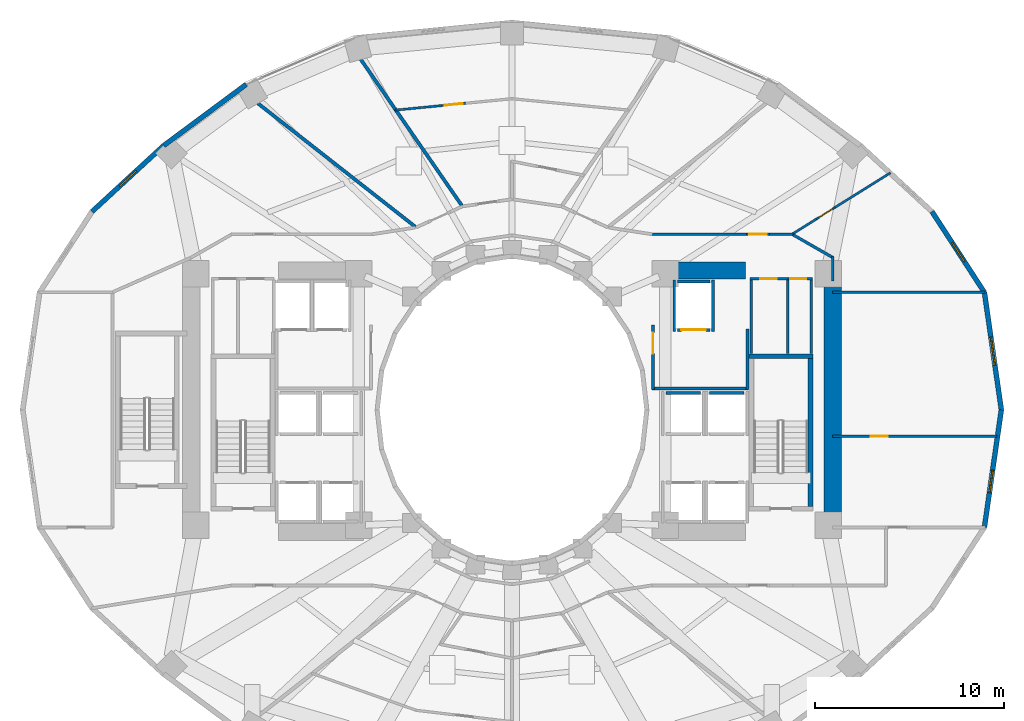
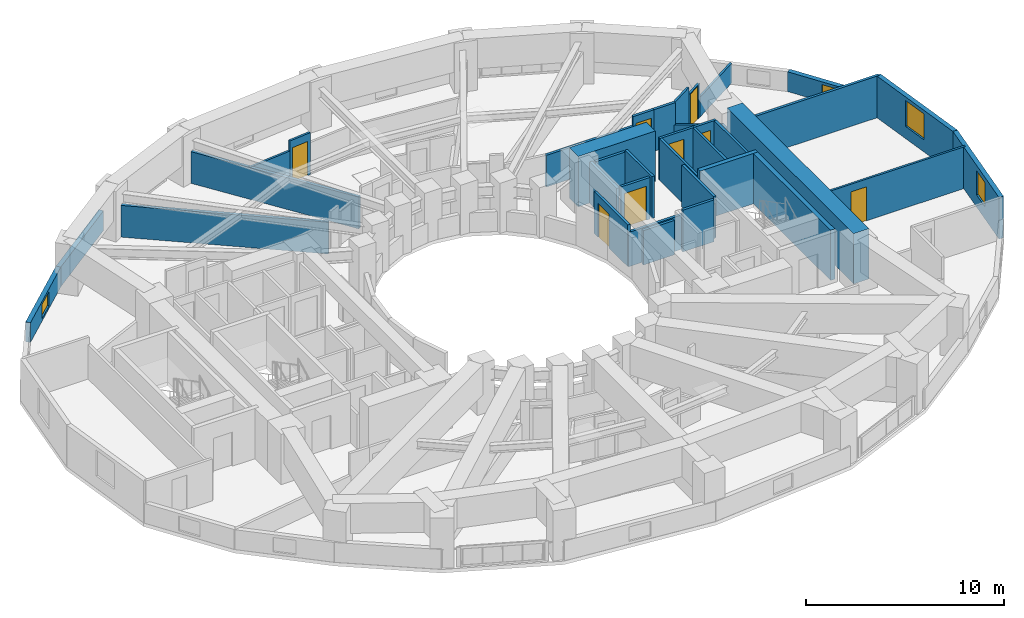
# One storey, part 12 of 16: 37 walls, 8 doors, 4 windows, 12 openings.
"""IFC4 building model written with IfcOpenShell, lengths in metres."""

from ifc_helpers import new_model, si_unit, direction, frame, frame_2d, origin, place, context, subcontext, project, spatial, rectangle, extrude, material, layer, layer_set, type_object, element, fill, save


model = new_model("IFC4")

# Units and contexts
model_context = context("Model", 3, precision=1e-05, world=origin(), true_north=direction((0.0, 1.0)))
body_context = subcontext(model_context, "Body", "Model", "MODEL_VIEW")
ifc_project = project(units=[si_unit("LENGTHUNIT", "METRE"), si_unit("AREAUNIT", "SQUARE_METRE"), si_unit("VOLUMEUNIT", "CUBIC_METRE"), si_unit("PLANEANGLEUNIT", "RADIAN"), si_unit("MASSUNIT", "GRAM", prefix="KILO")], contexts=[model_context])

# Site, building, storey
site_placement = place(None, origin())
site = spatial("IfcSite", under=ifc_project, at=site_placement, CompositionType="ELEMENT")
building_placement = place(site_placement, origin())
building = spatial("IfcBuilding", under=site, at=building_placement, Name="Solvane Sanctuary Tower", CompositionType="ELEMENT")
storey_placement = place(building_placement, frame((0.0, 0.0, 33.800048828125)))
storey = spatial("IfcBuildingStorey", under=building, at=storey_placement, Name="L09", CompositionType="ELEMENT", Elevation=33.800048828125)

# Walls
ifc_material_1 = material(Name="Concrete C70/85", Category="concrete")
ifc_layer_1 = layer(ifc_material_1, 0.89990234375, Name="Concrete C70/85")
ifc_layer_set_1 = layer_set([ifc_layer_1], Name="Concrete C70/85")
wall_type_1 = type_object("IfcWallType", Name="Wall W-CORE-900", PredefinedType="SHEAR", material=ifc_layer_set_1)
wall_1_placement = place(storey_placement, frame((48.949951171875, 17.050048828125, 0.0), z_axis=(0.0, 0.0, 1.0), x_axis=(0.0, 1.0, 0.0)))
element("IfcWall", 1, at=wall_1_placement, inside=storey, type_object=wall_type_1, Name="L09 Core Shear Wall EC-E", PredefinedType="SHEAR", context=body_context, shape_type="SweptSolid", body=[
    extrude(rectangle(XDim=12.800048828125, YDim=0.89990234375, at=frame_2d((6.39990234375, 0.0))), origin(), (0.0, 0.0, 1.0), 3.099853515625),
])
wall_2_placement = place(storey_placement, frame((39.85009765625, 30.35009765625, 0.0), z_axis=(0.0, 0.0, 1.0), x_axis=(1.0, 0.0, 0.0)))
element("IfcWall", 2, at=wall_2_placement, inside=storey, type_object=wall_type_1, Name="L09 Core Shear Wall EC-N", PredefinedType="SHEAR", context=body_context, shape_type="SweptSolid", body=[
    extrude(rectangle(XDim=4.5, YDim=0.89990234375, at=frame_2d((2.25, 0.0))), origin(), (0.0, 0.0, 1.0), 3.099853515625),
])
ifc_material_2 = material(Name="Acoustic Gypsum Partition Board")
ifc_layer_2 = layer(ifc_material_2, 0.14990234375, Name="Acoustic Gypsum Partition Board")
ifc_layer_set_2 = layer_set([ifc_layer_2], Name="Acoustic Gypsum Partition Board")
wall_type_2 = type_object("IfcWallType", Name="Wall W-CORR-150", PredefinedType="PARTITIONING", material=ifc_layer_set_2)
wall_3_placement = place(storey_placement, frame((39.39990234375, 24.1201171875, 0.0), z_axis=(0.0, 0.0, 1.0), x_axis=(1.0, 0.0, 0.0)))
element("IfcWall", 3, at=wall_3_placement, inside=storey, type_object=wall_type_2, Name="L09 East Firefighting Lobby South Wall", PredefinedType="PARTITIONING", context=body_context, shape_type="SweptSolid", body=[
    extrude(rectangle(XDim=5.080078125, YDim=0.14990234375, at=frame_2d((2.5400390625, 0.0))), origin(), (0.0, 0.0, 1.0), 2.119873046875),
])
wall_4_placement = place(storey_placement, frame((44.449951171875, 24.080078125, 0.0), z_axis=(0.0, 0.0, 1.0), x_axis=(0.0, 1.0, 0.0)))
element("IfcWall", 4, at=wall_4_placement, inside=storey, type_object=wall_type_2, Name="L09 East Firefighting Lobby East Wall", PredefinedType="PARTITIONING", context=body_context, shape_type="SweptSolid", body=[
    extrude(rectangle(XDim=3.199951171875, YDim=0.14990234375, at=frame_2d((1.60009765625, 0.0))), origin(), (0.0, 0.0, 1.0), 2.574951171875),
])

# Wall, opening, door
wall_5_placement = place(storey_placement, frame((39.449951171875, 24.080078125, 0.0), z_axis=(0.0, 0.0, 1.0), x_axis=(0.0, 1.0, 0.0)))
wall_5 = element("IfcWall", 5, at=wall_5_placement, inside=storey, type_object=wall_type_2, Name="L09 East Firefighting Lobby West Wall", PredefinedType="PARTITIONING", context=body_context, shape_type="SweptSolid", body=[
    extrude(rectangle(XDim=3.39990234375, YDim=0.14990234375, at=frame_2d((1.699951171875, 0.0))), origin(), (0.0, 0.0, 1.0), 2.574951171875),
])
opening_1_placement = place(wall_5_placement, frame((1.893798828125, 0.0, 0.0)))
opening_1 = element("IfcOpeningElement", 6, at=opening_1_placement, cuts=wall_5, Name="Opening D-L09-05", PredefinedType="OPENING", context=body_context, shape_type="SweptSolid", body=[
    extrude(rectangle(XDim=1.10009765625, YDim=2.10009765625, at=frame_2d((0.550048828125, 1.050048828125))), frame((0.0, 0.0849609375, 0.0), z_axis=(0.0, -1.0, 0.0), x_axis=(1.0, 0.0, 0.0)), (0.0, 0.0, 1.0), 0.169921875),
])
ifc_material_3 = material(Name="Architectural Stainless Steel 316", Category="steel")
door_type_1 = type_object("IfcDoorType", Name="Door D-FFL", OperationType="NOTDEFINED", PredefinedType="DOOR", material=ifc_material_3)
door_1_placement = place(opening_1_placement, origin())
door_1 = element("IfcDoor", 7, at=door_1_placement, inside=storey, type_object=door_type_1, Name="L09 East Firefighting Lobby Fire Door", OperationType="SINGLE_SWING_LEFT", OverallHeight=2.10009765625, OverallWidth=1.10009765625, PredefinedType="DOOR", context=body_context, shape_type="SweptSolid", body=[
    extrude(rectangle(XDim=1.10009765625, YDim=2.10009765625, at=frame_2d((0.550048828125, 1.050048828125))), frame((0.0, 0.02490234375, 0.0), z_axis=(0.0, -1.0, 0.0), x_axis=(1.0, 0.0, 0.0)), (0.0, 0.0, 1.0), 0.050048828125),
])
fill(opening_1, door_1)

# Walls
wall_6_placement = place(storey_placement, frame((48.949951171875, 29.211669921875, 0.0), z_axis=(0.0, 0.0, 1.0), x_axis=(1.0, 0.0, 0.0)))
element("IfcWall", 8, at=wall_6_placement, inside=storey, type_object=wall_type_2, Name="L09 East Shoulder North Wall", PredefinedType="PARTITIONING", context=body_context, shape_type="SweptSolid", body=[
    extrude(rectangle(XDim=8.036376953125, YDim=0.14990234375, at=frame_2d((4.01806640625, 0.0))), origin(), (0.0, 0.0, 1.0), 2.574951171875),
])
wall_7_placement = place(storey_placement, frame((48.949951171875, 29.800048828125, 0.0), z_axis=(0.0, 0.0, 1.0), x_axis=(0.0, 1.0, 0.0)))
element("IfcWall", 9, at=wall_7_placement, inside=storey, type_object=wall_type_2, Name="L09 NE Corner Closer 1", PredefinedType="PARTITIONING", context=body_context, shape_type="SweptSolid", body=[
    extrude(rectangle(XDim=1.2900390625, YDim=0.14990234375, at=frame_2d((0.64501953125, 0.0))), origin(), (0.0, 0.0, 1.0), 1.219970703125),
])
wall_8_placement = place(storey_placement, frame((39.330078125, 32.280029296875, 0.0), z_axis=(0.0, 0.0, 1.0), x_axis=(1.0, 0.0, 0.0)))
element("IfcWall", 10, at=wall_8_placement, inside=storey, type_object=wall_type_2, Name="L09 NE Corner Corridor Wall", PredefinedType="PARTITIONING", context=body_context, shape_type="SweptSolid", body=[
    extrude(rectangle(XDim=5.059814453125, YDim=0.14990234375, at=frame_2d((2.52978515625, 0.0))), origin(), (0.0, 0.0, 1.0), 1.95703125),
])

# Wall, opening, door
wall_9_placement = place(storey_placement, frame((44.389892578125, 32.280029296875, 0.0), z_axis=(0.0, 0.0, 1.0), x_axis=(1.0, 0.0, 0.0)))
wall_9 = element("IfcWall", 11, at=wall_9_placement, inside=storey, type_object=wall_type_2, Name="L09 NE Corner Corridor Wall", PredefinedType="PARTITIONING", context=body_context, shape_type="SweptSolid", body=[
    extrude(rectangle(XDim=1.22021484375, YDim=0.14990234375, at=frame_2d((0.610107421875, 0.0))), origin(), (0.0, 0.0, 1.0), 2.574951171875),
])
opening_2_placement = place(wall_9_placement, frame((0.159912109375, 0.0, 0.0)))
opening_2 = element("IfcOpeningElement", 12, at=opening_2_placement, cuts=wall_9, Name="Opening D-L09-14", PredefinedType="OPENING", context=body_context, shape_type="SweptSolid", body=[
    extrude(rectangle(XDim=0.89990234375, YDim=2.10009765625, at=frame_2d((0.449951171875, 1.050048828125))), frame((0.0, 0.0849609375, 0.0), z_axis=(0.0, -1.0, 0.0), x_axis=(1.0, 0.0, 0.0)), (0.0, 0.0, 1.0), 0.169921875),
])
ifc_material_4 = material(Name="Engineered Tropical Hardwood", Category="wood")
door_type_2 = type_object("IfcDoorType", Name="Door D-WET-900", OperationType="NOTDEFINED", PredefinedType="DOOR", material=ifc_material_4)
door_2_placement = place(opening_2_placement, origin())
door_2 = element("IfcDoor", 13, at=door_2_placement, inside=storey, type_object=door_type_2, Name="L09 NE Corner Salon Door", OperationType="SINGLE_SWING_RIGHT", OverallHeight=2.10009765625, OverallWidth=0.89990234375, PredefinedType="DOOR", context=body_context, shape_type="SweptSolid", body=[
    extrude(rectangle(XDim=0.89990234375, YDim=2.10009765625, at=frame_2d((0.449951171875, 1.050048828125))), frame((0.0, 0.02490234375, 0.0), z_axis=(0.0, -1.0, 0.0), x_axis=(1.0, 0.0, 0.0)), (0.0, 0.0, 1.0), 0.050048828125),
])
fill(opening_2, door_2)

# Walls
wall_10_placement = place(storey_placement, frame((45.610107421875, 32.280029296875, 0.0), z_axis=(0.0, 0.0, 1.0), x_axis=(1.0, 0.0, 0.0)))
element("IfcWall", 14, at=wall_10_placement, inside=storey, type_object=wall_type_2, Name="L09 NE Corner Corridor Wall", PredefinedType="PARTITIONING", context=body_context, shape_type="SweptSolid", body=[
    extrude(rectangle(XDim=1.239990234375, YDim=0.14990234375, at=frame_2d((0.6201171875, 0.0))), origin(), (0.0, 0.0, 1.0), 2.574951171875),
])
wall_11_placement = place(storey_placement, frame((46.756591796875, 32.3046875, 0.0), z_axis=(0.0, 0.0, 1.0), x_axis=(0.867991349648, -0.496579315857, 0.0)))
element("IfcWall", 15, at=wall_11_placement, inside=storey, type_object=wall_type_2, Name="L09 NE Corner Wing Wall", PredefinedType="PARTITIONING", context=body_context, shape_type="SweptSolid", body=[
    extrude(rectangle(XDim=2.56689453125, YDim=0.14990234375, at=frame_2d((1.283447265625, 0.0))), origin(), (0.0, 0.0, 1.0), 1.219970703125),
])

# Wall, opening, window
ifc_material_5 = material(Name="Precast concrete C40/50", Category="concrete")
ifc_layer_3 = layer(ifc_material_5, 0.260009765625, Name="Precast concrete C40/50")
ifc_layer_set_3 = layer_set([ifc_layer_3], Name="Precast concrete C40/50")
wall_type_3 = type_object("IfcWallType", Name="Wall W-EXT-250", PredefinedType="STANDARD", material=ifc_layer_set_3)
wall_12_placement = place(storey_placement, frame((57.860107421875, 23.0, 0.0), z_axis=(0.0, 0.0, 1.0), x_axis=(-0.142528001686, 0.989790770181, 0.0)))
wall_12 = element("IfcWall", 16, at=wall_12_placement, inside=storey, type_object=wall_type_3, Name="L09 Ceramic-Printed Facade Wall 00", PredefinedType="STANDARD", context=body_context, shape_type="SweptSolid", body=[
    extrude(rectangle(XDim=6.269287109375, YDim=0.260009765625, at=frame_2d((3.134765625, 0.0))), origin(), (0.0, 0.0, 1.0), 2.570068359375),
])
opening_3_placement = place(wall_12_placement, frame((2.384521484375, 0.0, 0.75)))
opening_3 = element("IfcOpeningElement", 17, at=opening_3_placement, cuts=wall_12, Name="Opening WN-OPER-1500", PredefinedType="OPENING", context=body_context, shape_type="SweptSolid", body=[
    extrude(rectangle(XDim=1.5, YDim=1.60009765625, at=frame_2d((0.75, 0.800048828125))), frame((0.0, 0.139892578125, 0.0), z_axis=(0.0, -1.0, 0.0), x_axis=(1.0, 0.0, 0.0)), (0.0, 0.0, 1.0), 0.280029296875),
])
ifc_material_6 = material(Name="Dark Ceramic-Fritted Low-E Glass", Category="glass")
window_type_1 = type_object("IfcWindowType", Name="Window WN-OPER-1500", PartitioningType="SINGLE_PANEL", PredefinedType="WINDOW", material=ifc_material_6)
window_1_placement = place(opening_3_placement, origin())
window_1 = element("IfcWindow", 18, at=window_1_placement, inside=storey, type_object=window_type_1, Name="L09 Operable Facade Window 00", OverallHeight=1.60009765625, OverallWidth=1.5, PartitioningType="SINGLE_PANEL", PredefinedType="WINDOW", context=body_context, shape_type="SweptSolid", body=[
    extrude(rectangle(XDim=1.5, YDim=1.60009765625, at=frame_2d((0.75, 0.800048828125))), frame((0.0, 0.030029296875, 0.0), z_axis=(0.0, -1.0, 0.0), x_axis=(1.0, 0.0, 0.0)), (0.0, 0.0, 1.0), 0.06005859375),
])
fill(opening_3, window_1)

wall_13_placement = place(storey_placement, frame((56.966552734375, 29.205322265625, 0.0), z_axis=(0.0, 0.0, 1.0), x_axis=(-0.544578722263, 0.838709732421, 0.0)))
wall_13 = element("IfcWall", 19, at=wall_13_placement, inside=storey, type_object=wall_type_3, Name="L09 Ceramic-Printed Facade Wall 01", PredefinedType="STANDARD", context=body_context, shape_type="SweptSolid", body=[
    extrude(rectangle(XDim=5.091552734375, YDim=0.260009765625, at=frame_2d((2.5458984375, 0.0))), origin(), (0.0, 0.0, 1.0), 1.219970703125),
])
opening_4_placement = place(wall_13_placement, frame((1.94580078125, 0.0, 0.14990234375)))
opening_4 = element("IfcOpeningElement", 20, at=opening_4_placement, cuts=wall_13, Name="Opening WN-OPER-1200", PredefinedType="OPENING", context=body_context, shape_type="SweptSolid", body=[
    extrude(rectangle(XDim=1.199951171875, YDim=0.89990234375, at=frame_2d((0.60009765625, 0.449951171875))), frame((0.0, 0.139892578125, 0.0), z_axis=(0.0, -1.0, 0.0), x_axis=(1.0, 0.0, 0.0)), (0.0, 0.0, 1.0), 0.280029296875),
])
window_type_2 = type_object("IfcWindowType", Name="Window WN-OPER-1200", PartitioningType="SINGLE_PANEL", PredefinedType="WINDOW", material=ifc_material_6)
window_2_placement = place(opening_4_placement, origin())
window_2 = element("IfcWindow", 21, at=window_2_placement, inside=storey, type_object=window_type_2, Name="L09 Operable Facade Window 01", OverallHeight=0.89990234375, OverallWidth=1.199951171875, PartitioningType="SINGLE_PANEL", PredefinedType="WINDOW", context=body_context, shape_type="SweptSolid", body=[
    extrude(rectangle(XDim=1.199951171875, YDim=0.89990234375, at=frame_2d((0.60009765625, 0.449951171875))), frame((0.0, 0.030029296875, 0.0), z_axis=(0.0, -1.0, 0.0), x_axis=(1.0, 0.0, 0.0)), (0.0, 0.0, 1.0), 0.06005859375),
])
fill(opening_4, window_2)

# Wall
wall_14_placement = place(storey_placement, frame((17.9580078125, 40.197021484375, 0.0), z_axis=(0.0, 0.0, 1.0), x_axis=(-0.803477531792, -0.595335078679, 0.0)))
element("IfcWall", 22, at=wall_14_placement, inside=storey, type_object=wall_type_3, Name="L09 Ceramic-Printed Facade Wall 08", PredefinedType="STANDARD", context=body_context, shape_type="SweptSolid", body=[
    extrude(rectangle(XDim=5.4296875, YDim=0.260009765625, at=frame_2d((2.71484375, 0.0))), origin(), (0.0, 0.0, 1.0), 1.219970703125),
])

# Wall, opening, window
wall_15_placement = place(storey_placement, frame((13.595458984375, 36.964599609375, 0.0), z_axis=(0.0, 0.0, 1.0), x_axis=(-0.735655109293, -0.67735630223, 0.0)))
wall_15 = element("IfcWall", 23, at=wall_15_placement, inside=storey, type_object=wall_type_3, Name="L09 Ceramic-Printed Facade Wall 09", PredefinedType="STANDARD", context=body_context, shape_type="SweptSolid", body=[
    extrude(rectangle(XDim=5.15087890625, YDim=0.260009765625, at=frame_2d((2.575439453125, 0.0))), origin(), (0.0, 0.0, 1.0), 1.219970703125),
])
opening_5_placement = place(wall_15_placement, frame((1.9755859375, 0.0, 0.14990234375)))
opening_5 = element("IfcOpeningElement", 24, at=opening_5_placement, cuts=wall_15, Name="Opening WN-OPER-1200", PredefinedType="OPENING", context=body_context, shape_type="SweptSolid", body=[
    extrude(rectangle(XDim=1.199951171875, YDim=0.89990234375, at=frame_2d((0.60009765625, 0.449951171875))), frame((0.0, 0.139892578125, 0.0), z_axis=(0.0, -1.0, 0.0), x_axis=(1.0, 0.0, 0.0)), (0.0, 0.0, 1.0), 0.280029296875),
])
window_3_placement = place(opening_5_placement, origin())
window_3 = element("IfcWindow", 25, at=window_3_placement, inside=storey, type_object=window_type_2, Name="L09 Operable Facade Window 09", OverallHeight=0.89990234375, OverallWidth=1.199951171875, PartitioningType="SINGLE_PANEL", PredefinedType="WINDOW", context=body_context, shape_type="SweptSolid", body=[
    extrude(rectangle(XDim=1.199951171875, YDim=0.89990234375, at=frame_2d((0.60009765625, 0.449951171875))), frame((0.0, 0.030029296875, 0.0), z_axis=(0.0, -1.0, 0.0), x_axis=(1.0, 0.0, 0.0)), (0.0, 0.0, 1.0), 0.06005859375),
])
fill(opening_5, window_3)

wall_16_placement = place(storey_placement, frame((56.966552734375, 16.794677734375, 0.0), z_axis=(0.0, 0.0, 1.0), x_axis=(0.142528001686, 0.989790770181, 0.0)))
wall_16 = element("IfcWall", 26, at=wall_16_placement, inside=storey, type_object=wall_type_3, Name="L09 Ceramic-Printed Facade Wall 23", PredefinedType="STANDARD", context=body_context, shape_type="SweptSolid", body=[
    extrude(rectangle(XDim=6.269287109375, YDim=0.260009765625, at=frame_2d((3.134765625, 0.0))), origin(), (0.0, 0.0, 1.0), 2.570068359375),
])
opening_6_placement = place(wall_16_placement, frame((1.852294921875, 0.0, 0.75)))
opening_6 = element("IfcOpeningElement", 27, at=opening_6_placement, cuts=wall_16, Name="Opening WN-OPER-1200", PredefinedType="OPENING", context=body_context, shape_type="SweptSolid", body=[
    extrude(rectangle(XDim=1.199951171875, YDim=1.5, at=frame_2d((0.60009765625, 0.75))), frame((0.0, 0.139892578125, 0.0), z_axis=(0.0, -1.0, 0.0), x_axis=(1.0, 0.0, 0.0)), (0.0, 0.0, 1.0), 0.280029296875),
])
window_4_placement = place(opening_6_placement, origin())
window_4 = element("IfcWindow", 28, at=window_4_placement, inside=storey, type_object=window_type_2, Name="L09 Operable Facade Window 23", OverallHeight=1.5, OverallWidth=1.199951171875, PartitioningType="SINGLE_PANEL", PredefinedType="WINDOW", context=body_context, shape_type="SweptSolid", body=[
    extrude(rectangle(XDim=1.199951171875, YDim=1.5, at=frame_2d((0.60009765625, 0.75))), frame((0.0, 0.030029296875, 0.0), z_axis=(0.0, -1.0, 0.0), x_axis=(1.0, 0.0, 0.0)), (0.0, 0.0, 1.0), 0.06005859375),
])
fill(opening_6, window_4)

# Wall, opening, door
ifc_layer_4 = layer(ifc_material_2, 0.1201171875, Name="Acoustic Gypsum Partition Board")
ifc_layer_set_4 = layer_set([ifc_layer_4], Name="Acoustic Gypsum Partition Board")
wall_type_4 = type_object("IfcWallType", Name="Wall W-MOV-100", PredefinedType="MOVABLE", material=ifc_layer_set_4)
wall_17_placement = place(storey_placement, frame((48.949951171875, 21.60009765625, 0.0), z_axis=(0.0, 0.0, 1.0), x_axis=(1.0, 0.0, 0.0)))
wall_17 = element("IfcWall", 29, at=wall_17_placement, inside=storey, type_object=wall_type_4, Name="L09 East Suite Partition", PredefinedType="MOVABLE", context=body_context, shape_type="SweptSolid", body=[
    extrude(rectangle(XDim=8.668701171875, YDim=0.1201171875, at=frame_2d((4.33447265625, 0.0))), origin(), (0.0, 0.0, 1.0), 2.574951171875),
])
opening_7_placement = place(wall_17_placement, frame((2.0, 0.0, 0.0)))
opening_7 = element("IfcOpeningElement", 30, at=opening_7_placement, cuts=wall_17, Name="Opening D-L09-11", PredefinedType="OPENING", context=body_context, shape_type="SweptSolid", body=[
    extrude(rectangle(XDim=0.89990234375, YDim=2.10009765625, at=frame_2d((0.449951171875, 1.050048828125))), frame((0.0, 0.070068359375, 0.0), z_axis=(0.0, -1.0, 0.0), x_axis=(1.0, 0.0, 0.0)), (0.0, 0.0, 1.0), 0.14013671875),
])
door_3_placement = place(opening_7_placement, origin())
door_3 = element("IfcDoor", 31, at=door_3_placement, inside=storey, type_object=door_type_2, Name="L09 East Suite Internal Door", OperationType="SINGLE_SWING_LEFT", OverallHeight=2.10009765625, OverallWidth=0.89990234375, PredefinedType="DOOR", context=body_context, shape_type="SweptSolid", body=[
    extrude(rectangle(XDim=0.89990234375, YDim=2.10009765625, at=frame_2d((0.449951171875, 1.050048828125))), frame((0.0, 0.02490234375, 0.0), z_axis=(0.0, -1.0, 0.0), x_axis=(1.0, 0.0, 0.0)), (0.0, 0.0, 1.0), 0.050048828125),
])
fill(opening_7, door_3)

# Wall
wall_18_placement = place(storey_placement, frame((46.757568359375, 32.25341796875, 0.0), z_axis=(0.0, 0.0, 1.0), x_axis=(0.848437888741, 0.529294954585, 0.0)))
element("IfcWall", 32, at=wall_18_placement, inside=storey, type_object=wall_type_4, Name="L09 NE Corner Suite Partition", PredefinedType="MOVABLE", context=body_context, shape_type="SweptSolid", body=[
    extrude(rectangle(XDim=1.55908203125, YDim=0.1201171875, at=frame_2d((0.779541015625, 0.0))), origin(), (0.0, 0.0, 1.0), 2.574951171875),
])

# Wall, opening, door
wall_19_placement = place(storey_placement, frame((48.080322265625, 33.07861328125, 0.0), z_axis=(0.0, 0.0, 1.0), x_axis=(0.848396621262, 0.529361098903, 0.0)))
wall_19 = element("IfcWall", 33, at=wall_19_placement, inside=storey, type_object=wall_type_4, Name="L09 NE Corner Suite Partition", PredefinedType="MOVABLE", context=body_context, shape_type="SweptSolid", body=[
    extrude(rectangle(XDim=1.170166015625, YDim=0.1201171875, at=frame_2d((0.5849609375, 0.0))), origin(), (0.0, 0.0, 1.0), 2.10986328125),
])
opening_8_placement = place(wall_19_placement, frame((0.159912109375, 0.0, 0.0)))
opening_8 = element("IfcOpeningElement", 34, at=opening_8_placement, cuts=wall_19, Name="Opening D-L09-13", PredefinedType="OPENING", context=body_context, shape_type="SweptSolid", body=[
    extrude(rectangle(XDim=0.85009765625, YDim=2.050048828125, at=frame_2d((0.425048828125, 1.02490234375))), frame((0.0, 0.070068359375, 0.0), z_axis=(0.0, -1.0, 0.0), x_axis=(1.0, 0.0, 0.0)), (0.0, 0.0, 1.0), 0.14013671875),
])
door_type_3 = type_object("IfcDoorType", Name="Door D-RISER", OperationType="NOTDEFINED", PredefinedType="DOOR", material=ifc_material_3)
door_4_placement = place(opening_8_placement, origin())
door_4 = element("IfcDoor", 35, at=door_4_placement, inside=storey, type_object=door_type_3, Name="L09 NE Corner Suite Door", OperationType="SINGLE_SWING_LEFT", OverallHeight=2.050048828125, OverallWidth=0.85009765625, PredefinedType="DOOR", context=body_context, shape_type="SweptSolid", body=[
    extrude(rectangle(XDim=0.85009765625, YDim=2.050048828125, at=frame_2d((0.425048828125, 1.02490234375))), frame((0.0, 0.02490234375, 0.0), z_axis=(0.0, -1.0, 0.0), x_axis=(1.0, 0.0, 0.0)), (0.0, 0.0, 1.0), 0.050048828125),
])
fill(opening_8, door_4)

# Wall
wall_20_placement = place(storey_placement, frame((49.072998046875, 33.697998046875, 0.0), z_axis=(0.0, 0.0, 1.0), x_axis=(0.848407059389, 0.529344369555, 0.0)))
element("IfcWall", 36, at=wall_20_placement, inside=storey, type_object=wall_type_4, Name="L09 NE Corner Suite Partition", PredefinedType="MOVABLE", context=body_context, shape_type="SweptSolid", body=[
    extrude(rectangle(XDim=3.4541015625, YDim=0.1201171875, at=frame_2d((1.72705078125, 0.0))), origin(), (0.0, 0.0, 1.0), 1.219970703125),
])

# Wall, opening, door
wall_21_placement = place(storey_placement, frame((29.542236328125, 39.199951171875, 0.0), z_axis=(0.0, 0.0, 1.0), x_axis=(-0.995257398837, -0.097276462007, 0.0)))
wall_21 = element("IfcWall", 37, at=wall_21_placement, inside=storey, type_object=wall_type_4, Name="L09 Suite Sitting Lounge Partition N2", PredefinedType="MOVABLE", context=body_context, shape_type="SweptSolid", body=[
    extrude(rectangle(XDim=1.27001953125, YDim=0.1201171875, at=frame_2d((0.635009765625, 0.0))), origin(), (0.0, 0.0, 1.0), 2.574951171875),
])
opening_9_placement = place(wall_21_placement, frame((0.159912109375, 0.0, 0.0)))
opening_9 = element("IfcOpeningElement", 38, at=opening_9_placement, cuts=wall_21, Name="Opening D-L09-19", PredefinedType="OPENING", context=body_context, shape_type="SweptSolid", body=[
    extrude(rectangle(XDim=0.949951171875, YDim=2.10009765625, at=frame_2d((0.47509765625, 1.050048828125))), frame((0.0, 0.070068359375, 0.0), z_axis=(0.0, -1.0, 0.0), x_axis=(1.0, 0.0, 0.0)), (0.0, 0.0, 1.0), 0.14013671875),
])
door_type_4 = type_object("IfcDoorType", Name="Door D-ROOM-950", OperationType="NOTDEFINED", PredefinedType="DOOR", material=ifc_material_4)
door_5_placement = place(opening_9_placement, origin())
door_5 = element("IfcDoor", 39, at=door_5_placement, inside=storey, type_object=door_type_4, Name="L09 Suite Sitting Lounge Door N2", OperationType="SINGLE_SWING_LEFT", OverallHeight=2.10009765625, OverallWidth=0.949951171875, PredefinedType="DOOR", context=body_context, shape_type="SweptSolid", body=[
    extrude(rectangle(XDim=0.949951171875, YDim=2.10009765625, at=frame_2d((0.47509765625, 1.050048828125))), frame((0.0, 0.02490234375, 0.0), z_axis=(0.0, -1.0, 0.0), x_axis=(1.0, 0.0, 0.0)), (0.0, 0.0, 1.0), 0.050048828125),
])
fill(opening_9, door_5)

# Walls
wall_22_placement = place(storey_placement, frame((28.2783203125, 39.076416015625, 0.0), z_axis=(0.0, 0.0, 1.0), x_axis=(-0.995257910667, -0.097271225219, 0.0)))
element("IfcWall", 40, at=wall_22_placement, inside=storey, type_object=wall_type_4, Name="L09 Suite Sitting Lounge Partition N2", PredefinedType="MOVABLE", context=body_context, shape_type="SweptSolid", body=[
    extrude(rectangle(XDim=2.479736328125, YDim=0.1201171875, at=frame_2d((1.23974609375, 0.0))), origin(), (0.0, 0.0, 1.0), 1.95703125),
])
ifc_material_7 = material(Name="Concrete C50/60", Category="concrete")
ifc_layer_5 = layer(ifc_material_7, 0.14990234375, Name="Concrete C50/60")
ifc_layer_set_5 = layer_set([ifc_layer_5], Name="Concrete C50/60")
wall_type_5 = type_object("IfcWallType", Name="Wall W-SHAFT-150", PredefinedType="SOLIDWALL", material=ifc_layer_set_5)
wall_23_placement = place(storey_placement, frame((42.43994140625, 23.8798828125, 0.0), z_axis=(0.0, 0.0, 1.0), x_axis=(1.0, 0.0, 0.0)))
element("IfcWall", 41, at=wall_23_placement, inside=storey, type_object=wall_type_5, Name="L09 PM-2 Lift Shaft Wall B", PredefinedType="SOLIDWALL", context=body_context, shape_type="SweptSolid", body=[
    extrude(rectangle(XDim=1.820068359375, YDim=0.14990234375, at=frame_2d((0.91015625, 0.0))), origin(), (0.0, 0.0, 1.0), 2.574951171875),
])
wall_24_placement = place(storey_placement, frame((40.139892578125, 23.8798828125, 0.0), z_axis=(0.0, 0.0, 1.0), x_axis=(1.0, 0.0, 0.0)))
element("IfcWall", 42, at=wall_24_placement, inside=storey, type_object=wall_type_5, Name="L09 PH-2 Lift Shaft Wall B", PredefinedType="SOLIDWALL", context=body_context, shape_type="SweptSolid", body=[
    extrude(rectangle(XDim=1.820068359375, YDim=0.14990234375, at=frame_2d((0.91015625, 0.0))), origin(), (0.0, 0.0, 1.0), 2.119873046875),
])

# Wall, opening, door
wall_25_placement = place(storey_placement, frame((40.739990234375, 27.219970703125, 0.0), z_axis=(0.0, 0.0, 1.0), x_axis=(1.0, 0.0, 0.0)))
wall_25 = element("IfcWall", 43, at=wall_25_placement, inside=storey, type_object=wall_type_5, Name="L09 FFL-2 Lift Shaft Wall F", PredefinedType="SOLIDWALL", context=body_context, shape_type="SweptSolid", body=[
    extrude(rectangle(XDim=1.719970703125, YDim=0.14990234375, at=frame_2d((0.85986328125, 0.0))), origin(), (0.0, 0.0, 1.0), 2.574951171875),
])
opening_10_placement = place(wall_25_placement, frame((0.2099609375, 0.0, 0.0)))
opening_10 = element("IfcOpeningElement", 44, at=opening_10_placement, cuts=wall_25, Name="Opening LD-L09-07", PredefinedType="OPENING", context=body_context, shape_type="SweptSolid", body=[
    extrude(rectangle(XDim=1.300048828125, YDim=2.10009765625, at=frame_2d((0.64990234375, 1.050048828125))), frame((0.0, 0.0849609375, 0.0), z_axis=(0.0, -1.0, 0.0), x_axis=(1.0, 0.0, 0.0)), (0.0, 0.0, 1.0), 0.169921875),
])
door_type_5 = type_object("IfcDoorType", Name="Door LD-FFL-1300", OperationType="NOTDEFINED", PredefinedType="DOOR", material=ifc_material_3)
door_6_placement = place(opening_10_placement, origin())
door_6 = element("IfcDoor", 45, at=door_6_placement, inside=storey, type_object=door_type_5, Name="L09 FFL-2 Lift Landing Door", OperationType="DOUBLE_DOOR_SLIDING", OverallHeight=2.10009765625, OverallWidth=1.300048828125, PredefinedType="DOOR", context=body_context, shape_type="SweptSolid", body=[
    extrude(rectangle(XDim=1.300048828125, YDim=2.10009765625, at=frame_2d((0.64990234375, 1.050048828125))), frame((0.0, 0.02490234375, 0.0), z_axis=(0.0, -1.0, 0.0), x_axis=(1.0, 0.0, 0.0)), (0.0, 0.0, 1.0), 0.050048828125),
])
fill(opening_10, door_6)

# Walls
wall_26_placement = place(storey_placement, frame((40.739990234375, 29.780029296875, 0.0), z_axis=(0.0, 0.0, 1.0), x_axis=(1.0, 0.0, 0.0)))
element("IfcWall", 46, at=wall_26_placement, inside=storey, type_object=wall_type_5, Name="L09 FFL-2 Lift Shaft Wall B", PredefinedType="SOLIDWALL", context=body_context, shape_type="SweptSolid", body=[
    extrude(rectangle(XDim=1.719970703125, YDim=0.14990234375, at=frame_2d((0.85986328125, 0.0))), origin(), (0.0, 0.0, 1.0), 2.574951171875),
])
for number, where, z_axis, x_axis, name in (
    (47, (40.570068359375, 27.139892578125, 0.0), (0.0, 0.0, 1.0), (0.0, 1.0, 0.0), "L09 FFL-2 Lift Shaft Wall S1"),
    (48, (42.6298828125, 27.139892578125, 0.0), (0.0, 0.0, 1.0), (0.0, 1.0, 0.0), "L09 FFL-2 Lift Shaft Wall S2"),
):
    element("IfcWall", number, at=place(storey_placement, frame(where, z_axis=z_axis, x_axis=x_axis)), inside=storey, type_object=wall_type_5, Name=name, PredefinedType="SOLIDWALL", context=body_context, shape_type="SweptSolid", body=[
        extrude(rectangle(XDim=2.72021484375, YDim=0.14990234375, at=frame_2d((1.360107421875, 0.0))), origin(), (0.0, 0.0, 1.0), 2.574951171875),
    ])
ifc_layer_6 = layer(ifc_material_7, 0.25, Name="Concrete C50/60")
ifc_layer_set_6 = layer_set([ifc_layer_6], Name="Concrete C50/60")
wall_type_6 = type_object("IfcWallType", Name="Wall W-SHAFT-250", PredefinedType="SOLIDWALL", material=ifc_layer_set_6)
wall_27_placement = place(storey_placement, frame((44.52490234375, 25.830078125, 0.0), z_axis=(0.0, 0.0, 1.0), x_axis=(1.0, 0.0, 0.0)))
element("IfcWall", 49, at=wall_27_placement, inside=storey, type_object=wall_type_6, Name="L09 ST-2 Load-Bearing Shaft Wall N", PredefinedType="SOLIDWALL", context=body_context, shape_type="SweptSolid", body=[
    extrude(rectangle(XDim=3.3701171875, YDim=0.25, at=frame_2d((1.68505859375, 0.0))), origin(), (0.0, 0.0, 1.0), 3.099853515625),
])
wall_28_placement = place(storey_placement, frame((47.77001953125, 17.89501953125, 0.0), z_axis=(0.0, 0.0, 1.0), x_axis=(0.0, 1.0, 0.0)))
element("IfcWall", 50, at=wall_28_placement, inside=storey, type_object=wall_type_6, Name="L09 ST-2 Load-Bearing Shaft Wall E", PredefinedType="SOLIDWALL", context=body_context, shape_type="SweptSolid", body=[
    extrude(rectangle(XDim=7.81005859375, YDim=0.25, at=frame_2d((3.905029296875, 0.0))), origin(), (0.0, 0.0, 1.0), 3.099853515625),
])
ifc_layer_7 = layer(ifc_material_2, 0.179931640625, Name="Acoustic Gypsum Partition Board")
ifc_layer_set_7 = layer_set([ifc_layer_7], Name="Acoustic Gypsum Partition Board")
wall_type_7 = type_object("IfcWallType", Name="Wall W-UNIT-180", PredefinedType="PARTITIONING", material=ifc_layer_set_7)
wall_29_placement = place(storey_placement, frame((29.346923828125, 33.7958984375, 0.0), z_axis=(0.0, 0.0, 1.0), x_axis=(-0.568631434817, 0.822592421153, 0.0)))
element("IfcWall", 51, at=wall_29_placement, inside=storey, type_object=wall_type_7, Name="L09 Radial Compartment Wall 105", PredefinedType="PARTITIONING", context=body_context, shape_type="SweptSolid", body=[
    extrude(rectangle(XDim=9.39404296875, YDim=0.179931640625, at=frame_2d((4.697021484375, 0.0))), origin(), (0.0, 0.0, 1.0), 1.95703125),
])
wall_30_placement = place(storey_placement, frame((26.8916015625, 32.6728515625, 0.0), z_axis=(0.0, 0.0, 1.0), x_axis=(-0.78700868866, 0.616941912966, 0.0)))
element("IfcWall", 52, at=wall_30_placement, inside=storey, type_object=wall_type_7, Name="L09 Radial Compartment Wall 120", PredefinedType="PARTITIONING", context=body_context, shape_type="SweptSolid", body=[
    extrude(rectangle(XDim=10.5830078125, YDim=0.179931640625, at=frame_2d((5.29150390625, 0.0))), origin(), (0.0, 0.0, 1.0), 1.95703125),
])

# Wall, opening, door
ifc_layer_8 = layer(ifc_material_2, 0.139892578125, Name="Acoustic Gypsum Partition Board")
ifc_layer_set_8 = layer_set([ifc_layer_8], Name="Acoustic Gypsum Partition Board")
wall_type_8 = type_object("IfcWallType", Name="Wall W-WET-140", PredefinedType="PLUMBINGWALL", material=ifc_layer_set_8)
wall_31_placement = place(storey_placement, frame((44.580078125, 29.919921875, 0.0), z_axis=(0.0, 0.0, 1.0), x_axis=(1.0, 0.0, 0.0)))
wall_31 = element("IfcWall", 53, at=wall_31_placement, inside=storey, type_object=wall_type_8, Name="L09 Core Service Front Wall KE1", PredefinedType="PLUMBINGWALL", context=body_context, shape_type="SweptSolid", body=[
    extrude(rectangle(XDim=2.0, YDim=0.139892578125, at=frame_2d((1.0, 0.0))), origin(), (0.0, 0.0, 1.0), 2.574951171875),
])
opening_11_placement = place(wall_31_placement, frame((0.550048828125, 0.0, 0.0)))
opening_11 = element("IfcOpeningElement", 54, at=opening_11_placement, cuts=wall_31, Name="Opening D-L09-08", PredefinedType="OPENING", context=body_context, shape_type="SweptSolid", body=[
    extrude(rectangle(XDim=0.85009765625, YDim=2.050048828125, at=frame_2d((0.425048828125, 1.02490234375))), frame((0.0, 0.079833984375, 0.0), z_axis=(0.0, -1.0, 0.0), x_axis=(1.0, 0.0, 0.0)), (0.0, 0.0, 1.0), 0.159912109375),
])
door_7_placement = place(opening_11_placement, origin())
door_7 = element("IfcDoor", 55, at=door_7_placement, inside=storey, type_object=door_type_3, Name="L09 Core Service Room Door KE1-1", OperationType="SINGLE_SWING_RIGHT", OverallHeight=2.050048828125, OverallWidth=0.85009765625, PredefinedType="DOOR", context=body_context, shape_type="SweptSolid", body=[
    extrude(rectangle(XDim=0.85009765625, YDim=2.050048828125, at=frame_2d((0.425048828125, 1.02490234375))), frame((0.0, 0.02490234375, 0.0), z_axis=(0.0, -1.0, 0.0), x_axis=(1.0, 0.0, 0.0)), (0.0, 0.0, 1.0), 0.050048828125),
])
fill(opening_11, door_7)

# Walls
for number, where, z_axis, x_axis, name in (
    (56, (44.639892578125, 25.97998046875, 0.0), (0.0, 0.0, 1.0), (0.0, 1.0, 0.0), "L09 Core Service Side Wall KE1-1"),
    (57, (46.580078125, 25.97998046875, 0.0), (0.0, 0.0, 1.0), (0.0, 1.0, 0.0), "L09 Core Service Side Wall KE1-2"),
):
    element("IfcWall", number, at=place(storey_placement, frame(where, z_axis=z_axis, x_axis=x_axis)), inside=storey, type_object=wall_type_8, Name=name, PredefinedType="PLUMBINGWALL", context=body_context, shape_type="SweptSolid", body=[
        extrude(rectangle(XDim=3.880126953125, YDim=0.139892578125, at=frame_2d((1.93994140625, 0.0))), origin(), (0.0, 0.0, 1.0), 2.574951171875),
    ])

# Wall, opening, door
wall_32_placement = place(storey_placement, frame((46.580078125, 29.919921875, 0.0), z_axis=(0.0, 0.0, 1.0), x_axis=(1.0, 0.0, 0.0)))
wall_32 = element("IfcWall", 58, at=wall_32_placement, inside=storey, type_object=wall_type_8, Name="L09 Core Service Front Wall KE2", PredefinedType="PLUMBINGWALL", context=body_context, shape_type="SweptSolid", body=[
    extrude(rectangle(XDim=1.2998046875, YDim=0.139892578125, at=frame_2d((0.64990234375, 0.0))), origin(), (0.0, 0.0, 1.0), 2.574951171875),
])
opening_12_placement = place(wall_32_placement, frame((0.1201171875, 0.0, 0.0)))
opening_12 = element("IfcOpeningElement", 59, at=opening_12_placement, cuts=wall_32, Name="Opening D-L09-09", PredefinedType="OPENING", context=body_context, shape_type="SweptSolid", body=[
    extrude(rectangle(XDim=0.85009765625, YDim=2.050048828125, at=frame_2d((0.425048828125, 1.02490234375))), frame((0.0, 0.079833984375, 0.0), z_axis=(0.0, -1.0, 0.0), x_axis=(1.0, 0.0, 0.0)), (0.0, 0.0, 1.0), 0.159912109375),
])
door_8_placement = place(opening_12_placement, origin())
door_8 = element("IfcDoor", 60, at=door_8_placement, inside=storey, type_object=door_type_3, Name="L09 Core Service Room Door KE2-1", OperationType="SINGLE_SWING_LEFT", OverallHeight=2.050048828125, OverallWidth=0.85009765625, PredefinedType="DOOR", context=body_context, shape_type="SweptSolid", body=[
    extrude(rectangle(XDim=0.85009765625, YDim=2.050048828125, at=frame_2d((0.425048828125, 1.02490234375))), frame((0.0, 0.02490234375, 0.0), z_axis=(0.0, -1.0, 0.0), x_axis=(1.0, 0.0, 0.0)), (0.0, 0.0, 1.0), 0.050048828125),
])
fill(opening_12, door_8)

# Wall
wall_33_placement = place(storey_placement, frame((47.820068359375, 25.97998046875, 0.0), z_axis=(0.0, 0.0, 1.0), x_axis=(0.0, 1.0, 0.0)))
element("IfcWall", 61, at=wall_33_placement, inside=storey, type_object=wall_type_8, Name="L09 Core Service Side Wall KE2-1", PredefinedType="PLUMBINGWALL", context=body_context, shape_type="SweptSolid", body=[
    extrude(rectangle(XDim=3.880126953125, YDim=0.139892578125, at=frame_2d((1.93994140625, 0.0))), origin(), (0.0, 0.0, 1.0), 2.574951171875),
])

save(model, "model.ifc")
